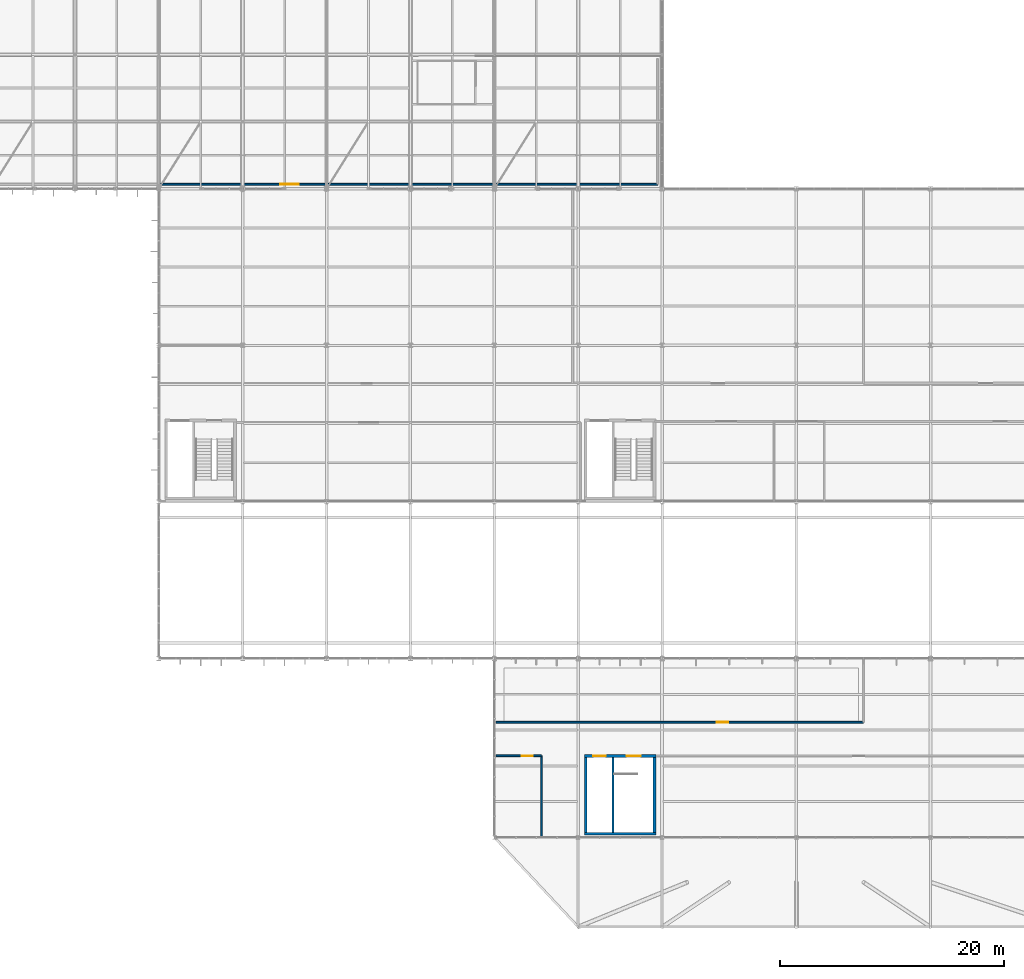
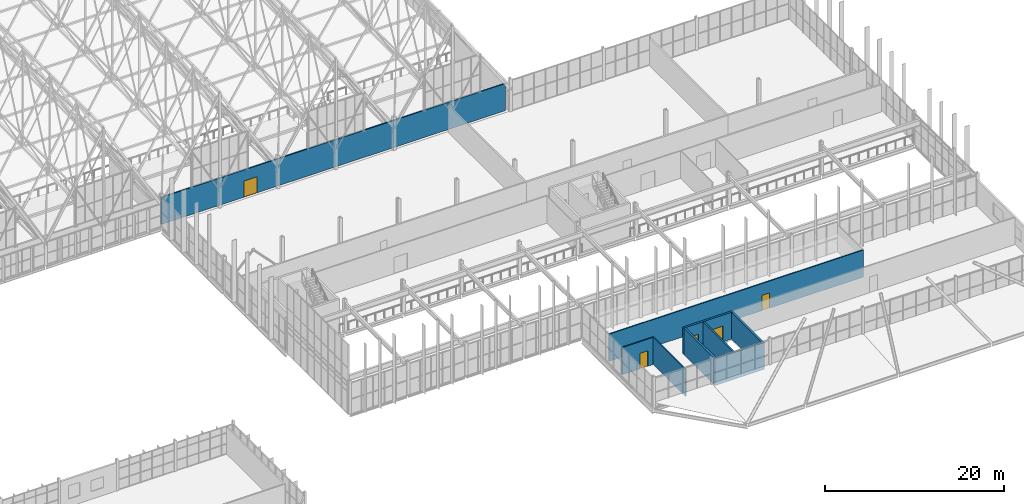
# One storey, part 310 of 324: 9 walls, 5 doors, 5 openings.
"""IFC4 building model written with IfcOpenShell, lengths in metres."""

import ifcopenshell
import ifcopenshell.guid

model = None  # the IFC model being written
_history = None  # IfcOwnerHistory: only IFC2X3 demands one
_inside = {}  # id of a spatial element -> (the spatial element, [elements in it])
_under = {}  # id of a project, library or spatial element -> (it, [spatial elements below it])
_declared = {}  # id of a project -> (the project, [libraries it declares])
_typed = {}  # id of a type object -> (the type object, [elements of that type])
_made_of = {}  # id of a material, layer set ... -> (it, [elements and type objects made of it])


def new_model(schema):
    """Start an empty IFC model of exactly this schema.

    Asked for "IFC4X3", IfcOpenShell would pick the latest addendum, in which some entities
    have other attributes; the version numbers below select the first issue.
    IFC2X3 requires an IfcOwnerHistory on every rooted entity: one is made here for all.
    """
    global model, _history
    if schema == "IFC4X3":
        model = ifcopenshell.file(schema_version=(4, 3, 0, 0))
    else:
        model = ifcopenshell.file(schema=schema)
    _inside.clear()
    _under.clear()
    _declared.clear()
    _typed.clear()
    _made_of.clear()
    _history = None
    if model.schema == "IFC2X3":
        org = make("IfcOrganization", Name="unknown")
        user = make(
            "IfcPersonAndOrganization",
            ThePerson=make("IfcPerson", FamilyName="unknown"),
            TheOrganization=org,
        )
        app = make(
            "IfcApplication",
            ApplicationDeveloper=org,
            Version="unknown",
            ApplicationFullName="unknown",
            ApplicationIdentifier="unknown",
        )
        _history = make(
            "IfcOwnerHistory",
            OwningUser=user,
            OwningApplication=app,
            ChangeAction="ADDED",
            CreationDate=0,
        )
    return model


def make(cls, **values):
    """One entity of the class cls with the attributes given. An attribute that is None is left unset."""
    return model.create_entity(
        cls, **{name: value for name, value in values.items() if value is not None}
    )


def rooted(cls, **values):
    """An entity with a GlobalId (a new one), such as an element, a storey or a relation."""
    return make(cls, GlobalId=ifcopenshell.guid.new(), OwnerHistory=_history, **values)


def si_unit(unit_type, name, prefix=None):
    """IfcSIUnit, for example si_unit("LENGTHUNIT", "METRE", prefix="MILLI")."""
    return make("IfcSIUnit", UnitType=unit_type, Prefix=prefix, Name=name)


def assignment(units):
    """IfcUnitAssignment: the units of a project."""
    return None if units is None else make("IfcUnitAssignment", Units=units)


def point(xyz):
    """IfcCartesianPoint."""
    return None if xyz is None else make("IfcCartesianPoint", Coordinates=xyz)


def direction(xyz):
    """IfcDirection."""
    return None if xyz is None else make("IfcDirection", DirectionRatios=xyz)


def frame(location, z_axis=None, x_axis=None):
    """IfcAxis2Placement3D, a coordinate frame: its origin and axes. An axis left out is left unset."""
    return make(
        "IfcAxis2Placement3D",
        Location=point(location),
        Axis=direction(z_axis),
        RefDirection=direction(x_axis),
    )


def frame_2d(location, x_axis=None):
    """IfcAxis2Placement2D, a coordinate frame in the plane: its origin and x axis."""
    return make(
        "IfcAxis2Placement2D", Location=point(location), RefDirection=direction(x_axis)
    )


def origin():
    """The frame at (0, 0, 0) with its axes left unset."""
    return frame((0.0, 0.0, 0.0))


def place(relative_to, where):
    """IfcLocalPlacement: puts the frame where relative to a parent placement (None: the world)."""
    return make(
        "IfcLocalPlacement", PlacementRelTo=relative_to, RelativePlacement=where
    )


def context(
    kind, dimensions, precision=None, world=None, true_north=None, identifier=None
):
    """IfcGeometricRepresentationContext, for example the 3D "Model" context."""
    return make(
        "IfcGeometricRepresentationContext",
        ContextIdentifier=identifier,
        ContextType=kind,
        CoordinateSpaceDimension=dimensions,
        Precision=precision,
        WorldCoordinateSystem=world,
        TrueNorth=true_north,
    )


def subcontext(parent, identifier, kind, view, scale=None):
    """IfcGeometricRepresentationSubContext, for example "Body" below "Model"."""
    return make(
        "IfcGeometricRepresentationSubContext",
        ContextIdentifier=identifier,
        ContextType=kind,
        ParentContext=parent,
        TargetScale=scale,
        TargetView=view,
    )


def project(units=None, contexts=None):
    """IfcProject with its units and contexts."""
    return rooted(
        "IfcProject",
        Name="project",
        RepresentationContexts=contexts,
        UnitsInContext=assignment(units),
    )


def spatial(cls, under=None, at=None, **own):
    """A site, building, storey or space (cls), placed at a placement, below another one or the project."""
    s = rooted(cls, ObjectPlacement=at, **own)
    if under is not None:
        _under.setdefault(under.id(), (under, []))[1].append(s)
    return s


def profile(cls, at=None, kind="AREA", **sizes):
    """A parametric profile (cls). Its sizes go by their IFC names, for example OverallWidth=200.0."""
    return make(cls, ProfileType=kind, Position=at, **sizes)


def rectangle(**sizes):
    """IfcRectangleProfileDef."""
    return profile("IfcRectangleProfileDef", **sizes)


def extrude(swept, where, along, depth):
    """IfcExtrudedAreaSolid: the profile swept, set in the frame where, extruded along a direction by depth."""
    return make(
        "IfcExtrudedAreaSolid",
        SweptArea=swept,
        Position=where,
        ExtrudedDirection=direction(along),
        Depth=depth,
    )


def shape(context_of_items, identifier, shape_type, items):
    """IfcShapeRepresentation: the items that make up one representation, for example the "Body"."""
    return make(
        "IfcShapeRepresentation",
        ContextOfItems=context_of_items,
        RepresentationIdentifier=identifier,
        RepresentationType=shape_type,
        Items=items,
    )


def material(Name=None, Category=None):
    """IfcMaterial."""
    return make("IfcMaterial", Name=Name, Category=Category)


def layer(
    of_material, thickness, ventilated=None, Name=None, Category=None, Priority=None
):
    """IfcMaterialLayer: one layer of a wall or slab, of a material (None: an air gap)."""
    return make(
        "IfcMaterialLayer",
        Material=of_material,
        LayerThickness=thickness,
        IsVentilated=ventilated,
        Name=Name,
        Category=Category,
        Priority=Priority,
    )


def layer_set(layers, Name=None):
    """IfcMaterialLayerSet."""
    return make("IfcMaterialLayerSet", MaterialLayers=layers, LayerSetName=Name)


def made_of(thing, what):
    """Note that an element or type object is made of a material, layer set ...; save() writes the relation."""
    if what is not None:
        _made_of.setdefault(what.id(), (what, []))[1].append(thing)
    return thing


def type_object(cls, material=None, **own):
    """A type object (cls), such as IfcWallType, which elements share."""
    return made_of(rooted(cls, **own), material)


def element(
    cls,
    number,
    at=None,
    inside=None,
    cuts=None,
    type_object=None,
    material=None,
    context=None,
    identifier="Body",
    shape_type=None,
    held_by="IfcProductDefinitionShape",
    body=None,
    shapes=None,
    **own,
):
    """One element of the class cls, such as IfcWall. Its Tag is "e" and its number.

    at: its placement. inside: the storey or other place that contains it. cuts: it is an
    opening in that element (IfcRelVoidsElement). A single representation is given by context,
    identifier, shape_type and body (its items); several are given by shapes. held_by: the class
    of the entity that holds the representations. save() writes the other relations.
    """
    e = rooted(cls, Tag="e%d" % number, ObjectPlacement=at, **own)
    if body is not None:
        shapes = [shape(context, identifier, shape_type, body)]
    if shapes is not None:
        e.Representation = make(held_by, Representations=shapes)
    if inside is not None:
        _inside.setdefault(inside.id(), (inside, []))[1].append(e)
    if cuts is not None:
        rooted(
            "IfcRelVoidsElement", RelatingBuildingElement=cuts, RelatedOpeningElement=e
        )
    if type_object is not None:
        _typed.setdefault(type_object.id(), (type_object, []))[1].append(e)
    return made_of(e, material)


def fill(opening, filler):
    """IfcRelFillsElement: the door or window that sits in an opening."""
    return rooted(
        "IfcRelFillsElement",
        RelatingOpeningElement=opening,
        RelatedBuildingElement=filler,
    )


def aggregate(whole, parts):
    """IfcRelAggregates: a whole, such as a stair, and the parts it consists of."""
    return rooted("IfcRelAggregates", RelatingObject=whole, RelatedObjects=parts)


def save(model, path):
    """Write the relations noted so far, then the file.

    IfcRelAggregates (storeys below a building ...), IfcRelContainedInSpatialStructure (elements
    in a storey), IfcRelDefinesByType, IfcRelAssociatesMaterial and IfcRelDeclares: one each for
    every whole, place, type object, material and project.
    """
    for whole, parts in _under.values():
        aggregate(whole, parts)
    for where, things in _inside.values():
        rooted(
            "IfcRelContainedInSpatialStructure",
            RelatedElements=things,
            RelatingStructure=where,
        )
    for kind, things in _typed.values():
        rooted("IfcRelDefinesByType", RelatedObjects=things, RelatingType=kind)
    for what, things in _made_of.values():
        rooted("IfcRelAssociatesMaterial", RelatedObjects=things, RelatingMaterial=what)
    for by, libraries in _declared.values():
        rooted("IfcRelDeclares", RelatingContext=by, RelatedDefinitions=libraries)
    model.write(path)


model = new_model("IFC4")

# Units and contexts
model_context = context("Model", 3, precision=1e-05, world=origin(), true_north=direction((0.0, 1.0)))
body_context = subcontext(model_context, "Body", "Model", "MODEL_VIEW")
ifc_project = project(units=[si_unit("LENGTHUNIT", "METRE"), si_unit("AREAUNIT", "SQUARE_METRE"), si_unit("VOLUMEUNIT", "CUBIC_METRE"), si_unit("PLANEANGLEUNIT", "RADIAN"), si_unit("MASSUNIT", "GRAM", prefix="KILO")], contexts=[model_context])

# Site, building, storey
site_placement = place(None, origin())
site = spatial("IfcSite", under=ifc_project, at=site_placement, CompositionType="ELEMENT")
building_placement = place(site_placement, origin())
building = spatial("IfcBuilding", under=site, at=building_placement, Name="Solvenia Promenade Tram Depot", CompositionType="ELEMENT")
storey_placement = place(building_placement, frame((0.0, 0.0, 4.5)))
storey = spatial("IfcBuildingStorey", under=building, at=storey_placement, Name="L01", CompositionType="ELEMENT", Elevation=4.5)

# Wall
ifc_material_1 = material(Name="Concrete C28/35", Category="concrete")
ifc_layer_1 = layer(ifc_material_1, 0.25, Name="Concrete C28/35", Category="concrete")
ifc_layer_set_1 = layer_set([ifc_layer_1], Name="Concrete C28/35")
wall_type_1 = type_object("IfcWallType", Name="Wall-Core-250", PredefinedType="SHEAR", material=ifc_layer_set_1)
wall_1_placement = place(storey_placement, frame((143.050048828125, 8.324951171875, 0.0), z_axis=(0.0, 0.0, 1.0), x_axis=(1.0, 0.0, 0.0)))
element("IfcWall", 1, at=wall_1_placement, inside=storey, type_object=wall_type_1, Name="Core C8 Shear Wall WC-C8-L01-S", PredefinedType="SHEAR", context=body_context, shape_type="SweptSolid", body=[
    extrude(rectangle(XDim=6.39990234375, YDim=0.25, at=frame_2d((3.199951171875, 0.0))), origin(), (0.0, 0.0, 1.0), 3.64990234375),
])

# Wall, openings, doors
wall_2_placement = place(storey_placement, frame((143.050048828125, 15.27490234375, 0.0), z_axis=(0.0, 0.0, 1.0), x_axis=(1.0, 0.0, 0.0)))
wall_2 = element("IfcWall", 2, at=wall_2_placement, inside=storey, type_object=wall_type_1, Name="Core C8 Shear Wall WC-C8-L01-N", PredefinedType="SHEAR", context=body_context, shape_type="SweptSolid", body=[
    extrude(rectangle(XDim=6.39990234375, YDim=0.25, at=frame_2d((3.199951171875, 0.0))), origin(), (0.0, 0.0, 1.0), 3.64990234375),
])
opening_1_placement = place(wall_2_placement, frame((0.800048828125, 0.0, 0.0)))
opening_1 = element("IfcOpeningElement", 3, at=opening_1_placement, cuts=wall_2, Name="Opening LD-08", PredefinedType="OPENING", context=body_context, shape_type="SweptSolid", body=[
    extrude(rectangle(XDim=1.10009765625, YDim=2.14990234375, at=frame_2d((0.550048828125, 1.074951171875))), frame((0.0, 0.135009765625, 0.0), z_axis=(0.0, -1.0, 0.0), x_axis=(1.0, 0.0, 0.0)), (0.0, 0.0, 1.0), 0.27001953125),
])
opening_2_placement = place(wall_2_placement, frame((3.77490234375, 0.0, 0.0)))
opening_2 = element("IfcOpeningElement", 4, at=opening_2_placement, cuts=wall_2, Name="Opening D-FD90", PredefinedType="OPENING", context=body_context, shape_type="SweptSolid", body=[
    extrude(rectangle(XDim=1.25, YDim=2.14990234375, at=frame_2d((0.625, 1.074951171875))), frame((0.0, 0.135009765625, 0.0), z_axis=(0.0, -1.0, 0.0), x_axis=(1.0, 0.0, 0.0)), (0.0, 0.0, 1.0), 0.27001953125),
])
ifc_material_2 = material(Name="Galvanized painted sheet steel", Category="steel")
door_type_1 = type_object("IfcDoorType", Name="Door-Lift-Pass-1100", OperationType="DOUBLE_DOOR_SLIDING", PredefinedType="DOOR", material=ifc_material_2)
door_1_placement = place(opening_1_placement, origin())
door_1 = element("IfcDoor", 5, at=door_1_placement, inside=storey, type_object=door_type_1, Name="Lift Landing Door LF-04 L01", OperationType="DOUBLE_DOOR_SLIDING", OverallHeight=2.14990234375, OverallWidth=1.10009765625, PredefinedType="DOOR", context=body_context, shape_type="SweptSolid", body=[
    extrude(rectangle(XDim=1.10009765625, YDim=2.14990234375, at=frame_2d((0.550048828125, 1.074951171875))), frame((0.0, 0.02490234375, 0.0), z_axis=(0.0, -1.0, 0.0), x_axis=(1.0, 0.0, 0.0)), (0.0, 0.0, 1.0), 0.050048828125),
])
fill(opening_1, door_1)
door_type_2 = type_object("IfcDoorType", Name="Door-Stair-FD90", OperationType="NOTDEFINED", PredefinedType="DOOR", material=ifc_material_2)
door_2_placement = place(opening_2_placement, frame((1.25, 0.0, 0.0), z_axis=(0.0, 0.0, 1.0), x_axis=(-1.0, 0.0, 0.0)))
door_2 = element("IfcDoor", 6, at=door_2_placement, inside=storey, type_object=door_type_2, Name="Exit Stair Door C8 L01", OperationType="SINGLE_SWING_RIGHT", OverallHeight=2.14990234375, OverallWidth=1.25, PredefinedType="DOOR", context=body_context, shape_type="SweptSolid", body=[
    extrude(rectangle(XDim=1.25, YDim=2.14990234375, at=frame_2d((0.625, 1.074951171875))), frame((0.0, 0.02490234375, 0.0), z_axis=(0.0, -1.0, 0.0), x_axis=(1.0, 0.0, 0.0)), (0.0, 0.0, 1.0), 0.050048828125),
])
fill(opening_2, door_2)

# Walls
for number, where, z_axis, x_axis, name in (
    (7, (143.175048828125, 8.449951171875, 0.0), (0.0, 0.0, 1.0), (0.0, 1.0, 0.0), "Core C8 Shear Wall WC-C8-L01-W"),
    (8, (149.324951171875, 8.449951171875, 0.0), (0.0, 0.0, 1.0), (0.0, 1.0, 0.0), "Core C8 Shear Wall WC-C8-L01-E"),
):
    element("IfcWall", number, at=place(storey_placement, frame(where, z_axis=z_axis, x_axis=x_axis)), inside=storey, type_object=wall_type_1, Name=name, PredefinedType="SHEAR", context=body_context, shape_type="SweptSolid", body=[
        extrude(rectangle(XDim=6.699951171875, YDim=0.25, at=frame_2d((3.35009765625, 0.0))), origin(), (0.0, 0.0, 1.0), 3.64990234375),
    ])

# Wall, opening, door
ifc_material_3 = material(Name="Concrete blockwork masonry", Category="masonry")
ifc_layer_2 = layer(ifc_material_3, 0.152099609375, Name="Concrete blockwork masonry", Category="masonry")
ifc_layer_set_2 = layer_set([ifc_layer_2], Name="Concrete blockwork masonry")
wall_type_2 = type_object("IfcWallType", Name="Wall-Masonry-152", PredefinedType="PARTITIONING", material=ifc_layer_set_2)
wall_3_placement = place(storey_placement, frame((135.159912109375, 15.300048828125, 0.0), z_axis=(0.0, 0.0, 1.0), x_axis=(1.0, 0.0, 0.0)))
wall_3 = element("IfcWall", 9, at=wall_3_placement, inside=storey, type_object=wall_type_2, Name="Mezzanine Accessible WC Partition WP-L01-089", PredefinedType="PARTITIONING", context=body_context, shape_type="SweptSolid", body=[
    extrude(rectangle(XDim=4.0400390625, YDim=0.152099609375, at=frame_2d((2.02001953125, 0.0))), origin(), (0.0, 0.0, 1.0), 3.699951171875),
])
opening_3_placement = place(wall_3_placement, frame((2.294921875, 0.0, 0.0)))
opening_3 = element("IfcOpeningElement", 10, at=opening_3_placement, cuts=wall_3, Name="Opening DR-09", PredefinedType="OPENING", context=body_context, shape_type="SweptSolid", body=[
    extrude(rectangle(XDim=0.97998046875, YDim=2.1201171875, at=frame_2d((0.489990234375, 1.06005859375))), frame((0.0, 0.0859375, 0.0), z_axis=(0.0, -1.0, 0.0), x_axis=(1.0, 0.0, 0.0)), (0.0, 0.0, 1.0), 0.172119140625),
])
door_type_3 = type_object("IfcDoorType", Name="Door-Room-980x2120", OperationType="NOTDEFINED", PredefinedType="DOOR", material=ifc_material_2)
door_3_placement = place(opening_3_placement, origin())
door_3 = element("IfcDoor", 11, at=door_3_placement, inside=storey, type_object=door_type_3, Name="Door to Mezzanine Accessible WC", OperationType="SINGLE_SWING_LEFT", OverallHeight=2.1201171875, OverallWidth=0.97998046875, PredefinedType="DOOR", context=body_context, shape_type="SweptSolid", body=[
    extrude(rectangle(XDim=0.97998046875, YDim=2.1201171875, at=frame_2d((0.489990234375, 1.06005859375))), frame((0.0, 0.02490234375, 0.0), z_axis=(0.0, -1.0, 0.0), x_axis=(1.0, 0.0, 0.0)), (0.0, 0.0, 1.0), 0.050048828125),
])
fill(opening_3, door_3)

ifc_layer_3 = layer(ifc_material_3, 0.159912109375, Name="Concrete blockwork masonry", Category="masonry")
ifc_layer_set_3 = layer_set([ifc_layer_3], Name="Concrete blockwork masonry")
wall_type_3 = type_object("IfcWallType", Name="Wall-Masonry-160", PredefinedType="PARTITIONING", material=ifc_layer_set_3)
wall_4_placement = place(storey_placement, frame((105.159912109375, 66.39990234375, 0.0), z_axis=(0.0, 0.0, 1.0), x_axis=(1.0, 0.0, 0.0)))
wall_4 = element("IfcWall", 12, at=wall_4_placement, inside=storey, type_object=wall_type_3, Name="Overhead Line Maintenance Workshop Partition WP-L01-052", PredefinedType="PARTITIONING", context=body_context, shape_type="SweptSolid", body=[
    extrude(rectangle(XDim=44.440185546875, YDim=0.159912109375, at=frame_2d((22.22021484375, 0.0))), origin(), (0.0, 0.0, 1.0), 3.699951171875),
])
opening_4_placement = place(wall_4_placement, frame((10.695068359375, 0.0, 0.0)))
opening_4 = element("IfcOpeningElement", 13, at=opening_4_placement, cuts=wall_4, Name="Opening DR-31", PredefinedType="OPENING", context=body_context, shape_type="SweptSolid", body=[
    extrude(rectangle(XDim=1.659912109375, YDim=2.199951171875, at=frame_2d((0.830078125, 1.10009765625))), frame((0.0, 0.08984375, 0.0), z_axis=(0.0, -1.0, 0.0), x_axis=(1.0, 0.0, 0.0)), (0.0, 0.0, 1.0), 0.179931640625),
])
door_type_4 = type_object("IfcDoorType", Name="Door-Room-1660x2200", OperationType="NOTDEFINED", PredefinedType="DOOR", material=ifc_material_2)
door_4_placement = place(opening_4_placement, origin())
door_4 = element("IfcDoor", 14, at=door_4_placement, inside=storey, type_object=door_type_4, Name="Door to Overhead Line Maintenance Workshop", OperationType="SINGLE_SWING_LEFT", OverallHeight=2.199951171875, OverallWidth=1.659912109375, PredefinedType="DOOR", context=body_context, shape_type="SweptSolid", body=[
    extrude(rectangle(XDim=1.659912109375, YDim=2.199951171875, at=frame_2d((0.830078125, 1.10009765625))), frame((0.0, 0.02490234375, 0.0), z_axis=(0.0, -1.0, 0.0), x_axis=(1.0, 0.0, 0.0)), (0.0, 0.0, 1.0), 0.050048828125),
])
fill(opening_4, door_4)

# Wall
ifc_material_4 = material(Name="Gypsum board acoustic partition", Category="other")
ifc_layer_4 = layer(ifc_material_4, 0.137939453125, Name="Gypsum board acoustic partition", Category="other")
ifc_layer_set_4 = layer_set([ifc_layer_4], Name="Gypsum board acoustic partition")
wall_type_4 = type_object("IfcWallType", Name="Wall-Part-138", PredefinedType="PARTITIONING", material=ifc_layer_set_4)
wall_5_placement = place(storey_placement, frame((139.199951171875, 8.050048828125, 0.0), z_axis=(0.0, 0.0, 1.0), x_axis=(0.0, 1.0, 0.0)))
element("IfcWall", 15, at=wall_5_placement, inside=storey, type_object=wall_type_4, Name="Mezzanine Accessible WC Dividing Wall WP-L01-090", PredefinedType="PARTITIONING", context=body_context, shape_type="SweptSolid", body=[
    extrude(rectangle(XDim=7.25, YDim=0.137939453125, at=frame_2d((3.625, 0.0))), origin(), (0.0, 0.0, 1.0), 3.699951171875),
])

# Wall, opening, door
wall_6_placement = place(storey_placement, frame((135.159912109375, 18.300048828125, 0.0), z_axis=(0.0, 0.0, 1.0), x_axis=(1.0, 0.0, 0.0)))
wall_6 = element("IfcWall", 16, at=wall_6_placement, inside=storey, type_object=wall_type_4, Name="Promenade Mezzanine Gallery Partition WP-L01-091", PredefinedType="PARTITIONING", context=body_context, shape_type="SweptSolid", body=[
    extrude(rectangle(XDim=32.840087890625, YDim=0.137939453125, at=frame_2d((16.419921875, 0.0))), origin(), (0.0, 0.0, 1.0), 3.699951171875),
])
opening_5_placement = place(wall_6_placement, frame((19.740966796875, 0.0, 0.0)))
opening_5 = element("IfcOpeningElement", 17, at=opening_5_placement, cuts=wall_6, Name="Opening DR-10", PredefinedType="OPENING", context=body_context, shape_type="SweptSolid", body=[
    extrude(rectangle(XDim=1.0, YDim=2.080078125, at=frame_2d((0.5, 1.0400390625))), frame((0.0, 0.078857421875, 0.0), z_axis=(0.0, -1.0, 0.0), x_axis=(1.0, 0.0, 0.0)), (0.0, 0.0, 1.0), 0.157958984375),
])
door_type_5 = type_object("IfcDoorType", Name="Door-Room-1000x2080", OperationType="NOTDEFINED", PredefinedType="DOOR", material=ifc_material_2)
door_5_placement = place(opening_5_placement, origin())
door_5 = element("IfcDoor", 18, at=door_5_placement, inside=storey, type_object=door_type_5, Name="Door to Promenade Mezzanine Gallery", OperationType="SINGLE_SWING_RIGHT", OverallHeight=2.080078125, OverallWidth=1.0, PredefinedType="DOOR", context=body_context, shape_type="SweptSolid", body=[
    extrude(rectangle(XDim=1.0, YDim=2.080078125, at=frame_2d((0.5, 1.0400390625))), frame((0.0, 0.02490234375, 0.0), z_axis=(0.0, -1.0, 0.0), x_axis=(1.0, 0.0, 0.0)), (0.0, 0.0, 1.0), 0.050048828125),
])
fill(opening_5, door_5)

# Wall
ifc_layer_5 = layer(ifc_material_1, 0.199951171875, Name="Concrete C28/35", Category="concrete")
ifc_layer_set_5 = layer_set([ifc_layer_5], Name="Concrete C28/35")
wall_type_5 = type_object("IfcWallType", Name="Wall-Shaft-200", PredefinedType="SHEAR", material=ifc_layer_set_5)
wall_7_placement = place(storey_placement, frame((145.60009765625, 8.449951171875, 0.0), z_axis=(0.0, 0.0, 1.0), x_axis=(0.0, 1.0, 0.0)))
element("IfcWall", 19, at=wall_7_placement, inside=storey, type_object=wall_type_5, Name="Core C8 Shear Wall WC-C8-L01-DIV", PredefinedType="SHEAR", context=body_context, shape_type="SweptSolid", body=[
    extrude(rectangle(XDim=6.699951171875, YDim=0.199951171875, at=frame_2d((3.35009765625, 0.0))), origin(), (0.0, 0.0, 1.0), 3.64990234375),
])

save(model, "model.ifc")
